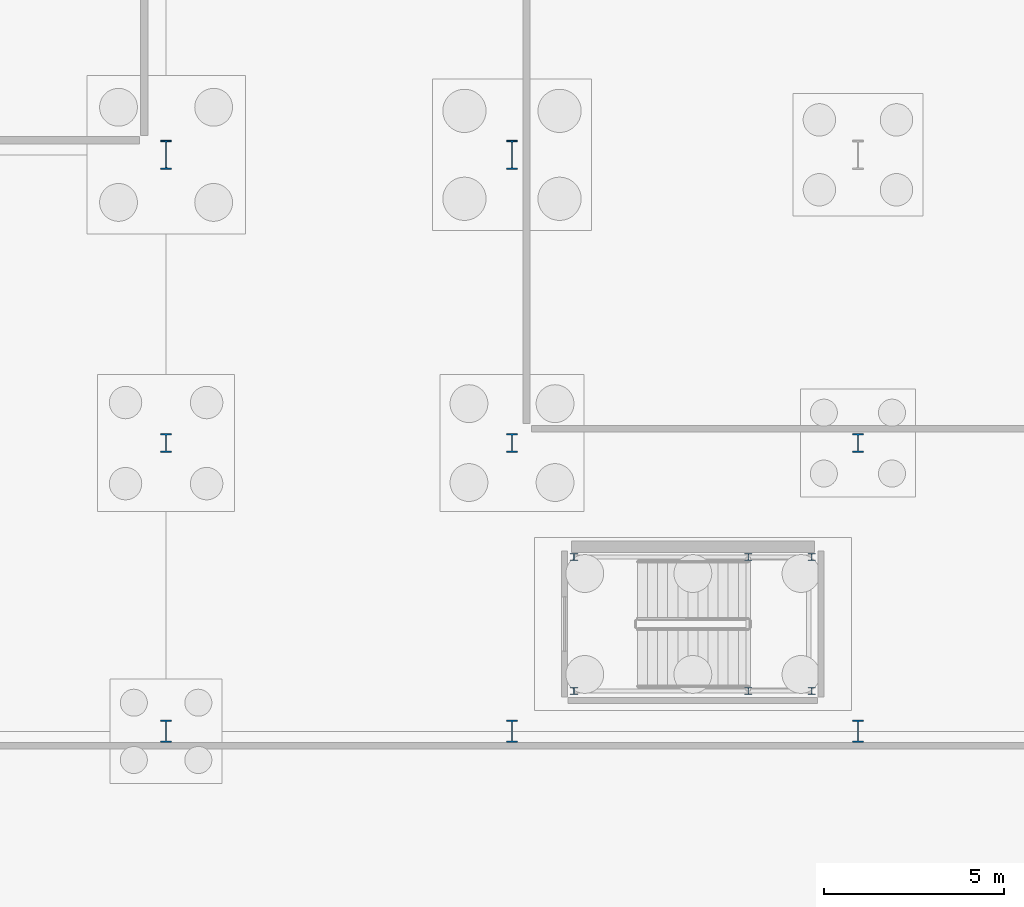
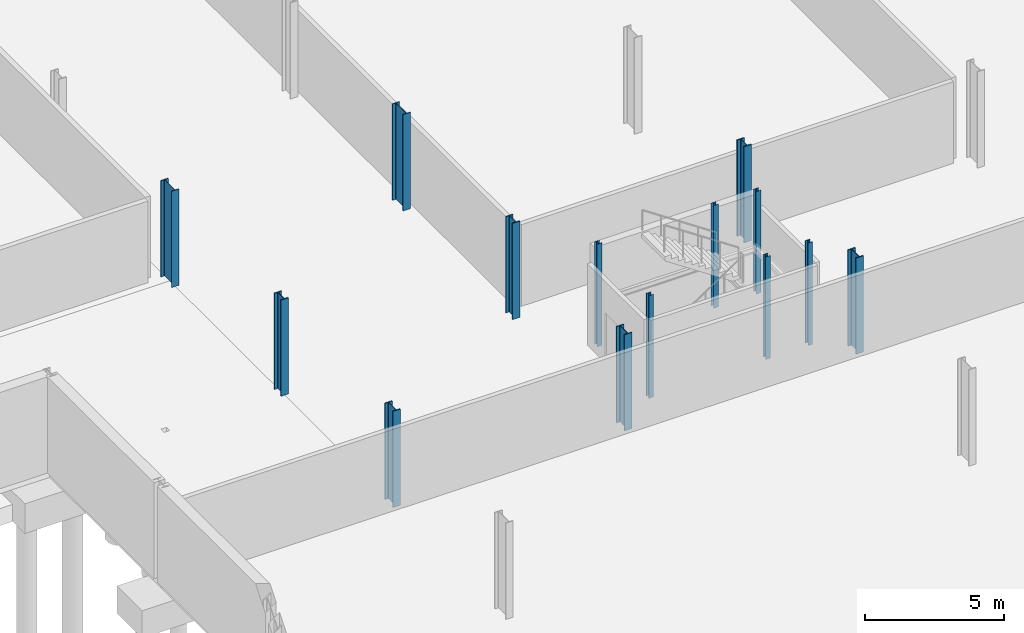
# One storey, part 13 of 47: 14 columns.
"""IFC4 building model written with IfcOpenShell, lengths in metres."""

from ifc_helpers import new_model, si_unit, direction, frame, origin, origin_2d, place, context, subcontext, project, spatial, i_section, extrude, material, material_profile, profile_set, type_object, element, save


model = new_model("IFC4")

# Units and contexts
model_context = context("Model", 3, precision=1e-05, world=origin(), true_north=direction((0.0, 1.0)))
body_context = subcontext(model_context, "Body", "Model", "MODEL_VIEW")
ifc_project = project(units=[si_unit("LENGTHUNIT", "METRE"), si_unit("AREAUNIT", "SQUARE_METRE"), si_unit("VOLUMEUNIT", "CUBIC_METRE"), si_unit("PLANEANGLEUNIT", "RADIAN"), si_unit("MASSUNIT", "GRAM", prefix="KILO")], contexts=[model_context])

# Site, building, storey
site_placement = place(None, origin())
site = spatial("IfcSite", under=ifc_project, at=site_placement, CompositionType="ELEMENT")
building_placement = place(site_placement, origin())
building = spatial("IfcBuilding", under=site, at=building_placement, Name="Alderhovde Museum", CompositionType="ELEMENT")
storey_placement = place(building_placement, frame((0.0, 0.0, -4.5)))
storey = spatial("IfcBuildingStorey", under=building, at=storey_placement, Name="B1", CompositionType="ELEMENT", Elevation=-4.5)

# Columns
ifc_material_1 = material(Name="Steel S355J2", Category="steel")
ifc_material_profile_1 = material_profile(ifc_material_1, i_section(OverallWidth=0.199951171875, OverallDepth=0.18994140625, WebThickness=0.006591796875, FlangeThickness=0.010009765625, FilletRadius=0.01806640625, at=origin_2d()), Name="HEA 200")
ifc_profile_set_1 = profile_set([ifc_material_profile_1], Name="Steel S355J2")
column_type_1 = type_object("IfcColumnType", Name="COL-HEA200", PredefinedType="COLUMN", material=ifc_profile_set_1)
for number, where, z_axis, x_axis, name in (
    (1, (88.1201171875, 33.1201171875, 0.0), (0.0, 0.0, 1.0), (1.0, 0.0, 0.0), "B1 Stair ST3 Shaft Column 1"),
    (2, (94.719970703125, 33.1201171875, 0.0), (0.0, 0.0, 1.0), (1.0, 0.0, 0.0), "B1 Stair ST3 Shaft Column 2"),
    (3, (94.719970703125, 36.840087890625, 0.0), (0.0, 0.0, 1.0), (1.0, 0.0, 0.0), "B1 Stair ST3 Shaft Column 3"),
    (4, (88.1201171875, 36.840087890625, 0.0), (0.0, 0.0, 1.0), (1.0, 0.0, 0.0), "B1 Stair ST3 Shaft Column 4"),
    (5, (92.9599609375, 33.1201171875, 0.0), (0.0, 0.0, 1.0), (1.0, 0.0, 0.0), "B1 Stair ST3 Shaft Column 5"),
    (6, (92.9599609375, 36.840087890625, 0.0), (0.0, 0.0, 1.0), (1.0, 0.0, 0.0), "B1 Stair ST3 Shaft Column 6"),
):
    element("IfcColumn", number, at=place(storey_placement, frame(where, z_axis=z_axis, x_axis=x_axis)), inside=storey, type_object=column_type_1, Name=name, PredefinedType="COLUMN", context=body_context, shape_type="SweptSolid", body=[
        extrude(i_section(OverallWidth=0.199951171875, OverallDepth=0.18994140625, WebThickness=0.006591796875, FlangeThickness=0.010009765625, FilletRadius=0.01806640625, at=origin_2d()), origin(), (0.0, 0.0, 1.0), 4.5),
    ])
ifc_material_2 = material(Name="Steel S355J2", Category="steel")
ifc_material_profile_2 = material_profile(ifc_material_2, i_section(OverallWidth=0.300048828125, OverallDepth=0.800048828125, WebThickness=0.017578125, FlangeThickness=0.032958984375, FilletRadius=0.030029296875, at=origin_2d()), Name="HEB 800")
ifc_profile_set_2 = profile_set([ifc_material_profile_2], Name="Steel S355J2")
column_type_2 = type_object("IfcColumnType", Name="COL-HEB800", PredefinedType="COLUMN", material=ifc_profile_set_2)
for number, where, z_axis, x_axis, name in (
    (7, (76.800048828125, 48.0, 0.0), (0.0, 0.0, 1.0), (1.0, 0.0, 0.0), "B1 Column (76.8, 48.0)"),
    (8, (86.39990234375, 48.0, 0.0), (0.0, 0.0, 1.0), (1.0, 0.0, 0.0), "B1 Column (86.4, 48.0)"),
):
    element("IfcColumn", number, at=place(storey_placement, frame(where, z_axis=z_axis, x_axis=x_axis)), inside=storey, type_object=column_type_2, Name=name, PredefinedType="COLUMN", context=body_context, shape_type="SweptSolid", body=[
        extrude(i_section(OverallWidth=0.300048828125, OverallDepth=0.800048828125, WebThickness=0.017578125, FlangeThickness=0.032958984375, FilletRadius=0.030029296875, at=origin_2d()), origin(), (0.0, 0.0, 1.0), 4.219970703125),
    ])
ifc_material_3 = material(Name="Steel S355J2", Category="steel")
ifc_material_profile_3 = material_profile(ifc_material_3, i_section(OverallWidth=0.305908203125, OverallDepth=0.52392578125, WebThickness=0.02099609375, FlangeThickness=0.0400390625, FilletRadius=0.027099609375, at=origin_2d()), Name="HEM 500")
ifc_profile_set_3 = profile_set([ifc_material_profile_3], Name="Steel S355J2")
column_type_3 = type_object("IfcColumnType", Name="COL-HEM500", PredefinedType="COLUMN", material=ifc_profile_set_3)
for number, where, z_axis, x_axis, name in (
    (9, (76.800048828125, 40.0, 0.0), (0.0, 0.0, 1.0), (1.0, 0.0, 0.0), "B1 Column (76.8, 40.0)"),
    (10, (86.39990234375, 40.0, 0.0), (0.0, 0.0, 1.0), (1.0, 0.0, 0.0), "B1 Column (86.4, 40.0)"),
    (11, (96.0, 40.0, 0.0), (0.0, 0.0, 1.0), (1.0, 0.0, 0.0), "B1 Column (96.0, 40.0)"),
):
    element("IfcColumn", number, at=place(storey_placement, frame(where, z_axis=z_axis, x_axis=x_axis)), inside=storey, type_object=column_type_3, Name=name, PredefinedType="COLUMN", context=body_context, shape_type="SweptSolid", body=[
        extrude(i_section(OverallWidth=0.305908203125, OverallDepth=0.52392578125, WebThickness=0.02099609375, FlangeThickness=0.0400390625, FilletRadius=0.027099609375, at=origin_2d()), origin(), (0.0, 0.0, 1.0), 4.219970703125),
    ])
ifc_material_4 = material(Name="Steel S355J2", Category="steel")
ifc_material_profile_4 = material_profile(ifc_material_4, i_section(OverallWidth=0.304931640625, OverallDepth=0.6201171875, WebThickness=0.02099609375, FlangeThickness=0.0400390625, FilletRadius=0.027099609375, at=origin_2d()), Name="HEM 600")
ifc_profile_set_4 = profile_set([ifc_material_profile_4], Name="Steel S355J2")
column_type_4 = type_object("IfcColumnType", Name="COL-HEM600", PredefinedType="COLUMN", material=ifc_profile_set_4)
for number, where, z_axis, x_axis, name in (
    (12, (76.800048828125, 32.0, 0.0), (0.0, 0.0, 1.0), (1.0, 0.0, 0.0), "B1 Column (76.8, 32.0)"),
    (13, (86.39990234375, 32.0, 0.0), (0.0, 0.0, 1.0), (1.0, 0.0, 0.0), "B1 Column (86.4, 32.0)"),
    (14, (96.0, 32.0, 0.0), (0.0, 0.0, 1.0), (1.0, 0.0, 0.0), "B1 Column (96.0, 32.0)"),
):
    element("IfcColumn", number, at=place(storey_placement, frame(where, z_axis=z_axis, x_axis=x_axis)), inside=storey, type_object=column_type_4, Name=name, PredefinedType="COLUMN", context=body_context, shape_type="SweptSolid", body=[
        extrude(i_section(OverallWidth=0.304931640625, OverallDepth=0.6201171875, WebThickness=0.02099609375, FlangeThickness=0.0400390625, FilletRadius=0.027099609375, at=origin_2d()), origin(), (0.0, 0.0, 1.0), 4.219970703125),
    ])

save(model, "model.ifc")
